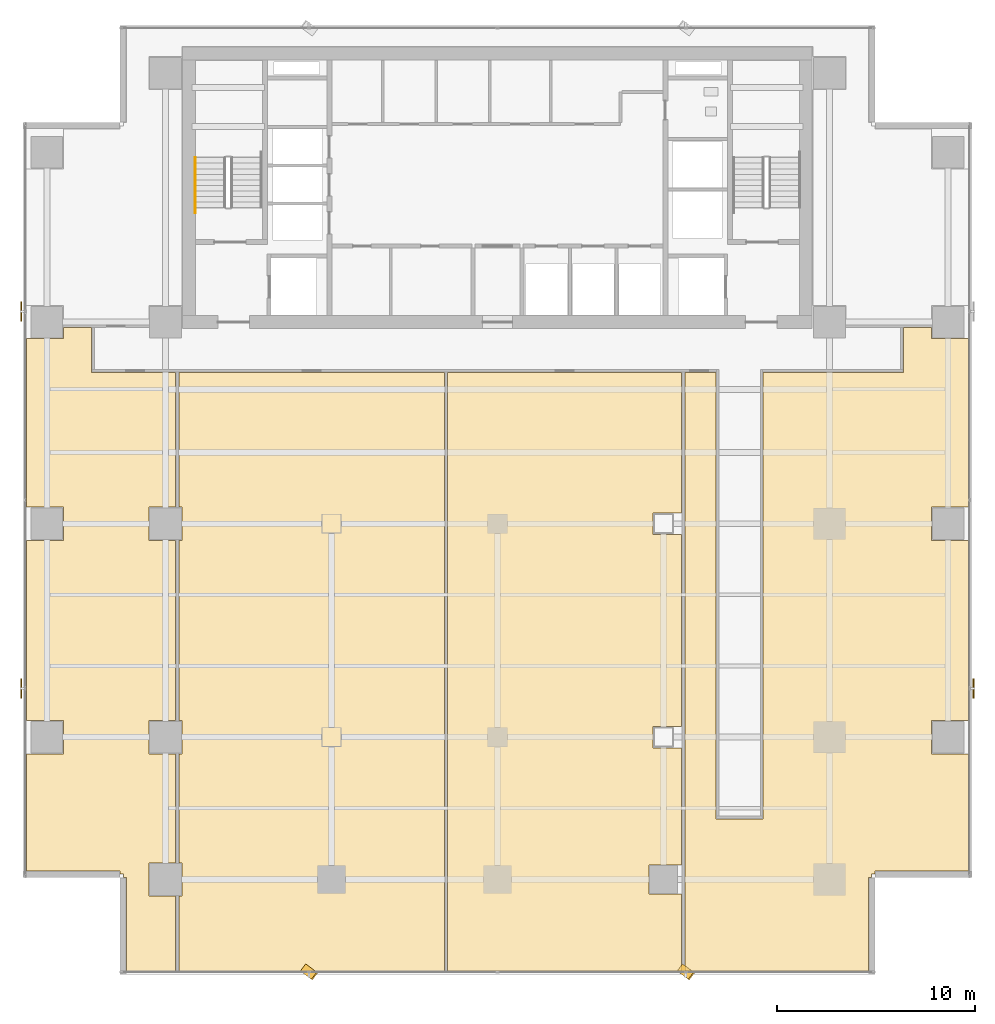
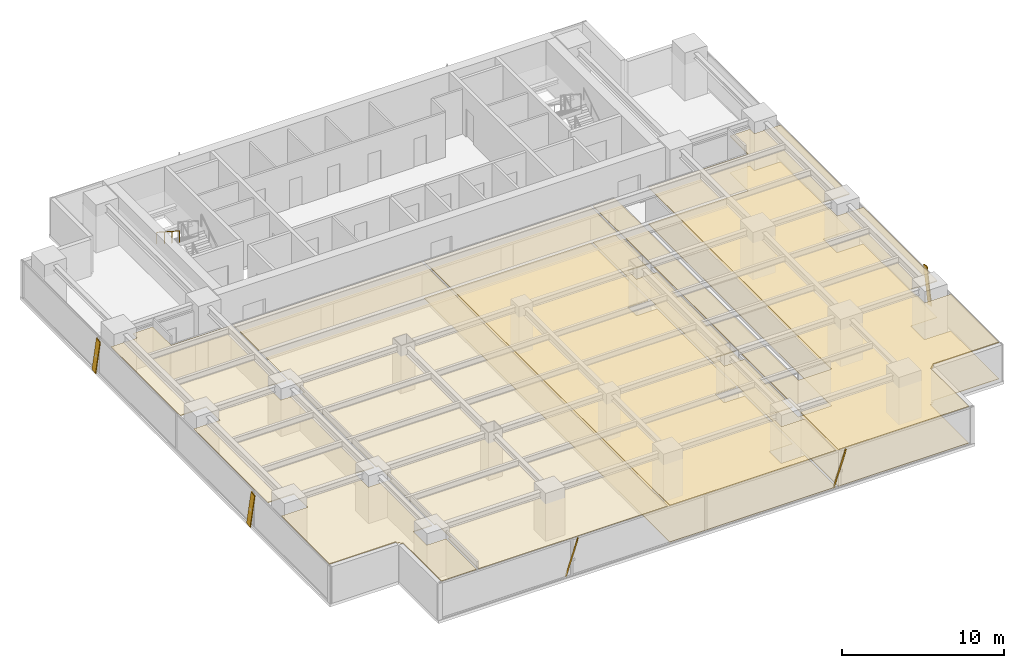
# One storey, part 23 of 27: 6 coverings, 5 shading devices, 1 railing.
"""IFC4 building model written with IfcOpenShell, lengths in metres."""

from ifc_helpers import new_model, si_unit, direction, frame, origin, origin_2d, place, context, subcontext, project, spatial, polyline, rectangle, outline, extrude, source, transform, mapped, material, layer, layer_set, material_profile, profile_set, type_object, element, save


model = new_model("IFC4")

# Units and contexts
model_context = context("Model", 3, precision=1e-05, world=origin(), true_north=direction((0.0, 1.0)))
body_context = subcontext(model_context, "Body", "Model", "MODEL_VIEW")
ifc_project = project(units=[si_unit("LENGTHUNIT", "METRE"), si_unit("AREAUNIT", "SQUARE_METRE"), si_unit("VOLUMEUNIT", "CUBIC_METRE"), si_unit("PLANEANGLEUNIT", "RADIAN"), si_unit("MASSUNIT", "GRAM", prefix="KILO")], contexts=[model_context])

# Site, building, storey
site_placement = place(None, origin())
site = spatial("IfcSite", under=ifc_project, at=site_placement, CompositionType="ELEMENT")
building_placement = place(site_placement, origin())
building = spatial("IfcBuilding", under=site, at=building_placement, Name="Sumidabori Civic Tower", CompositionType="ELEMENT")
storey_placement = place(building_placement, frame((0.0, 0.0, 138.800048828125)))
storey = spatial("IfcBuildingStorey", under=building, at=storey_placement, Name="L35", CompositionType="ELEMENT", Elevation=138.800048828125)

# Coverings
ifc_material_1 = material(Name="Gypsum Coffered Acoustic Ceiling")
ifc_layer_1 = layer(ifc_material_1, 0.06494140625, Name="Gypsum Coffered Acoustic Ceiling")
ifc_layer_set_1 = layer_set([ifc_layer_1], Name="Gypsum Coffered Acoustic Ceiling")
covering_type_1 = type_object("IfcCoveringType", Name="CV-CEIL-AC4", PredefinedType="CEILING", material=ifc_layer_set_1)
covering_1_placement = place(storey_placement, frame((0.0, 0.0, 2.72998046875)))
element("IfcCovering", 1, at=covering_1_placement, inside=storey, type_object=covering_type_1, Name="Room Acoustic Ceiling L35-02", PredefinedType="CEILING", context=body_context, shape_type="SweptSolid", body=[
    extrude(outline(polyline([(-21.9599609375, -11.639892578125), (-21.9599609375, -9.9599609375), (-23.830078125, -9.9599609375), (-23.830078125, -0.840087890625), (-21.9599609375, -0.840087890625), (-21.9599609375, 0.840087890625), (-23.830078125, 0.840087890625), (-23.830078125, 9.360107421875), (-21.9599609375, 9.360107421875), (-21.9599609375, 9.919921875), (-20.5400390625, 9.919921875), (-20.5400390625, 7.659912109375), (-16.280029296875, 7.659912109375), (-16.280029296875, 0.840087890625), (-17.639892578125, 0.840087890625), (-17.639892578125, -0.840087890625), (-16.280029296875, -0.840087890625), (-16.280029296875, -9.9599609375), (-17.639892578125, -9.9599609375), (-17.639892578125, -11.639892578125), (-16.280029296875, -11.639892578125), (-16.280029296875, -17.159912109375), (-17.639892578125, -17.159912109375), (-17.639892578125, -18.840087890625), (-16.280029296875, -18.840087890625), (-16.280029296875, -22.6298828125), (-18.77197265625, -22.6298828125), (-18.77197265625, -17.89208984375), (-18.929931640625, -17.89208984375), (-18.929931640625, -17.72998046875), (-19.092041015625, -17.72998046875), (-19.092041015625, -17.572021484375), (-23.830078125, -17.572021484375), (-23.830078125, -11.639892578125), (-21.9599609375, -11.639892578125)])), origin(), (0.0, 0.0, 1.0), 0.06494140625),
])
covering_2_placement = place(storey_placement, frame((0.0, 0.0, 2.72998046875)))
element("IfcCovering", 2, at=covering_2_placement, inside=storey, type_object=covering_type_1, Name="Room Acoustic Ceiling L35-03", PredefinedType="CEILING", context=body_context, shape_type="SweptSolid", body=[
    extrude(outline(polyline([(18.77197265625, -22.6298828125), (9.47998046875, -22.6298828125), (9.47998046875, 7.659912109375), (11.06005859375, 7.659912109375), (11.06005859375, -14.93994140625), (13.43994140625, -14.93994140625), (13.43994140625, 7.659912109375), (20.5400390625, 7.659912109375), (20.5400390625, 9.919921875), (21.9599609375, 9.919921875), (21.9599609375, 9.360107421875), (23.830078125, 9.360107421875), (23.830078125, 0.840087890625), (21.9599609375, 0.840087890625), (21.9599609375, -0.840087890625), (23.830078125, -0.840087890625), (23.830078125, -9.9599609375), (21.9599609375, -9.9599609375), (21.9599609375, -11.639892578125), (23.830078125, -11.639892578125), (23.830078125, -17.572021484375), (19.092041015625, -17.572021484375), (19.092041015625, -17.72998046875), (18.929931640625, -17.72998046875), (18.929931640625, -17.89208984375), (18.77197265625, -17.89208984375), (18.77197265625, -22.6298828125)])), origin(), (0.0, 0.0, 1.0), 0.06494140625),
])
covering_3_placement = place(storey_placement, frame((0.0, 0.0, 2.72998046875)))
element("IfcCovering", 3, at=covering_3_placement, inside=storey, type_object=covering_type_1, Name="Room Acoustic Ceiling L35-04", PredefinedType="CEILING", context=body_context, shape_type="SweptSolid", body=[
    extrude(outline(polyline([(-16.1201171875, -18.840087890625), (-15.9599609375, -18.840087890625), (-15.9599609375, -17.159912109375), (-16.1201171875, -17.159912109375), (-16.1201171875, -11.639892578125), (-15.9599609375, -11.639892578125), (-15.9599609375, -9.9599609375), (-16.1201171875, -9.9599609375), (-16.1201171875, -0.840087890625), (-15.9599609375, -0.840087890625), (-15.9599609375, 0.840087890625), (-16.1201171875, 0.840087890625), (-16.1201171875, 7.659912109375), (-2.679931640625, 7.659912109375), (-2.679931640625, -22.6298828125), (-16.1201171875, -22.6298828125), (-16.1201171875, -18.840087890625)])), origin(), (0.0, 0.0, 1.0), 0.06494140625),
])
covering_4_placement = place(storey_placement, frame((0.0, 0.0, 2.72998046875)))
element("IfcCovering", 4, at=covering_4_placement, inside=storey, type_object=covering_type_1, Name="Room Acoustic Ceiling L35-05", PredefinedType="CEILING", context=body_context, shape_type="SweptSolid", body=[
    extrude(outline(polyline([(-2.52001953125, -22.6298828125), (-2.52001953125, 7.659912109375), (9.320068359375, 7.659912109375), (9.320068359375, 0.5400390625), (7.860107421875, 0.5400390625), (7.860107421875, -0.5400390625), (9.320068359375, -0.5400390625), (9.320068359375, -10.260009765625), (7.860107421875, -10.260009765625), (7.860107421875, -11.340087890625), (9.320068359375, -11.340087890625), (9.320068359375, -17.260009765625), (7.659912109375, -17.260009765625), (7.659912109375, -18.739990234375), (9.320068359375, -18.739990234375), (9.320068359375, -22.6298828125), (-2.52001953125, -22.6298828125)])), origin(), (0.0, 0.0, 1.0), 0.06494140625),
])
ifc_material_2 = material(Name="Honed Terrazzo Tile Flooring")
ifc_layer_2 = layer(ifc_material_2, 0.030029296875, Name="Honed Terrazzo Tile Flooring")
ifc_layer_set_2 = layer_set([ifc_layer_2], Name="Honed Terrazzo Tile Flooring")
covering_type_2 = type_object("IfcCoveringType", Name="CV-FLR-TER", PredefinedType="FLOORING", material=ifc_layer_set_2)
covering_5_placement = place(storey_placement, origin())
element("IfcCovering", 5, at=covering_5_placement, inside=storey, type_object=covering_type_2, Name="Room Terrazzo Floor L35-03", PredefinedType="FLOORING", context=body_context, shape_type="SweptSolid", body=[
    extrude(outline(polyline([(18.77197265625, -22.6298828125), (9.47998046875, -22.6298828125), (9.47998046875, 7.659912109375), (11.06005859375, 7.659912109375), (11.06005859375, -14.93994140625), (13.43994140625, -14.93994140625), (13.43994140625, 7.659912109375), (20.5400390625, 7.659912109375), (20.5400390625, 9.919921875), (21.9599609375, 9.919921875), (21.9599609375, 9.360107421875), (23.830078125, 9.360107421875), (23.830078125, 0.840087890625), (21.9599609375, 0.840087890625), (21.9599609375, -0.840087890625), (23.830078125, -0.840087890625), (23.830078125, -9.9599609375), (21.9599609375, -9.9599609375), (21.9599609375, -11.639892578125), (23.830078125, -11.639892578125), (23.830078125, -17.572021484375), (19.092041015625, -17.572021484375), (19.092041015625, -17.72998046875), (18.929931640625, -17.72998046875), (18.929931640625, -17.89208984375), (18.77197265625, -17.89208984375), (18.77197265625, -22.6298828125)])), origin(), (0.0, 0.0, 1.0), 0.030029296875),
])
covering_6_placement = place(storey_placement, origin())
element("IfcCovering", 6, at=covering_6_placement, inside=storey, type_object=covering_type_2, Name="Room Terrazzo Floor L35-05", PredefinedType="FLOORING", context=body_context, shape_type="SweptSolid", body=[
    extrude(outline(polyline([(-2.52001953125, -22.6298828125), (-2.52001953125, 7.659912109375), (9.320068359375, 7.659912109375), (9.320068359375, 0.5400390625), (7.860107421875, 0.5400390625), (7.860107421875, -0.5400390625), (9.320068359375, -0.5400390625), (9.320068359375, -10.260009765625), (7.860107421875, -10.260009765625), (7.860107421875, -11.340087890625), (9.320068359375, -11.340087890625), (9.320068359375, -17.260009765625), (7.659912109375, -17.260009765625), (7.659912109375, -18.739990234375), (9.320068359375, -18.739990234375), (9.320068359375, -22.6298828125), (-2.52001953125, -22.6298828125)])), origin(), (0.0, 0.0, 1.0), 0.030029296875),
])

# Railing
ifc_material_3 = material(Name="Stainless Steel Hairline Finish", Category="steel")
railing_type = type_object("IfcRailingType", Name="RL-HANDRAIL", PredefinedType="HANDRAIL", material=ifc_material_3)
railing_placement = place(storey_placement, frame((-15.2900390625, 18.52001953125, 1.97998046875)))
element("IfcRailing", 7, at=railing_placement, inside=storey, type_object=railing_type, Name="L35 ST-1 stair handrail 2", PredefinedType="HANDRAIL", context=body_context, shape_type="SweptSolid", body=[
    extrude(rectangle(XDim=0.048095703125, YDim=0.048095703125, at=origin_2d()), frame((0.0, 0.0, 0.8759765625), z_axis=(0.0, -0.840675598268, 0.541539046124), x_axis=(1.0, 0.0, 0.0)), (0.0, 0.0, 1.0), 3.330810546875),
    extrude(rectangle(XDim=0.0419921875, YDim=0.0419921875, at=origin_2d()), origin(), (0.0, 0.0, 1.0), 0.851806640625),
    extrude(rectangle(XDim=0.0419921875, YDim=0.0419921875, at=origin_2d()), frame((0.0, -0.933349609375, 0.601318359375)), (0.0, 0.0, 1.0), 0.851806640625),
    extrude(rectangle(XDim=0.0419921875, YDim=0.0419921875, at=origin_2d()), frame((0.0, -1.86669921875, 1.202392578125)), (0.0, 0.0, 1.0), 0.851806640625),
    extrude(rectangle(XDim=0.0419921875, YDim=0.0419921875, at=origin_2d()), frame((0.0, -2.800048828125, 1.8037109375)), (0.0, 0.0, 1.0), 0.851806640625),
])

# Shading devices
ifc_material_4 = material(Name="Anodised Bronze Aluminium AW-6063-T6", Category="aluminium")
ifc_material_profile = material_profile(ifc_material_4, rectangle(XDim=0.06005859375, YDim=0.449951171875, at=origin_2d()), Name="BRONZE FIN 450x60")
ifc_profile_set = profile_set([ifc_material_profile], Name="Anodised Bronze Aluminium AW-6063-T6")
shading_device_type = type_object("IfcShadingDeviceType", Name="SH-FIN-450", PredefinedType="USERDEFINED", material=ifc_profile_set)
shared_shape_1 = source(origin(), body_context, "Body", "SweptSolid", [
    extrude(rectangle(XDim=0.06005859375, YDim=0.449951171875, at=origin_2d()), origin(), (0.0, 0.0, 1.0), 2.789306640625),
])
for number, where, z_axis, x_axis, name in (
    (8, (-9.81494140625, -22.469970703125, 0.02001953125), (0.200794136335, -0.150551837182, 0.967995794998), (0.774477654896, -0.580689436103, -0.250966413819), "Bronze Anodised Diagonal Fin L35-01"),
    (9, (9.2548828125, -22.469970703125, 0.02001953125), (0.200794136335, -0.150551837182, 0.967995794998), (0.774477654896, -0.580689436103, -0.250966413819), "Bronze Anodised Diagonal Fin L35-03"),
):
    element("IfcShadingDevice", number, at=place(storey_placement, frame(where, z_axis=z_axis, x_axis=x_axis)), inside=storey, type_object=shading_device_type, Name=name, ObjectType="FIN", PredefinedType="USERDEFINED", context=body_context, shape_type="MappedRepresentation", body=[
        mapped(shared_shape_1, transform((0.0, 0.0, 0.0), x_axis=(1.0, 0.0, 0.0), y_axis=(0.0, 1.0, 0.0), z_axis=(0.0, 0.0, 1.0), scale=1.0)),
    ])
shared_shape_2 = source(origin(), body_context, "Body", "SweptSolid", [
    extrude(rectangle(XDim=0.06005859375, YDim=0.449951171875, at=origin_2d()), origin(), (0.0, 0.0, 1.0), 2.75732421875),
])
for number, where, z_axis, x_axis, name in (
    (10, (24.090087890625, -8.614990234375, 0.02001953125), (0.0, 0.203109150817, 0.979156102393), (-1.0, 0.0, 0.0), "Bronze Anodised Diagonal Fin L35-01"),
    (11, (-24.090087890625, 11.014892578125, 0.02001953125), (0.0, -0.20302426177, 0.979173707333), (-1.0, 0.0, 0.0), "Bronze Anodised Diagonal Fin L35-01"),
    (12, (-24.090087890625, -8.054931640625, 0.02001953125), (0.0, -0.203109150817, 0.979156102393), (-1.0, 0.0, 0.0), "Bronze Anodised Diagonal Fin L35-03"),
):
    element("IfcShadingDevice", number, at=place(storey_placement, frame(where, z_axis=z_axis, x_axis=x_axis)), inside=storey, type_object=shading_device_type, Name=name, ObjectType="FIN", PredefinedType="USERDEFINED", context=body_context, shape_type="MappedRepresentation", body=[
        mapped(shared_shape_2, transform((0.0, 0.0, 0.0), x_axis=(1.0, 0.0, 0.0), y_axis=(0.0, 1.0, 0.0), z_axis=(0.0, 0.0, 1.0), scale=1.0)),
    ])

save(model, "model.ifc")
